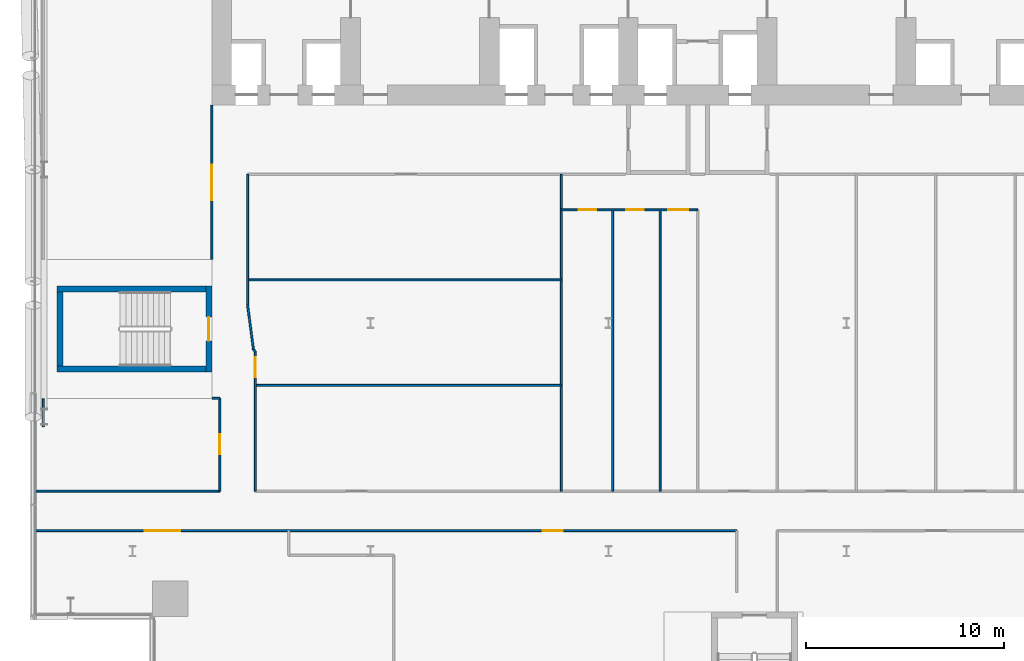
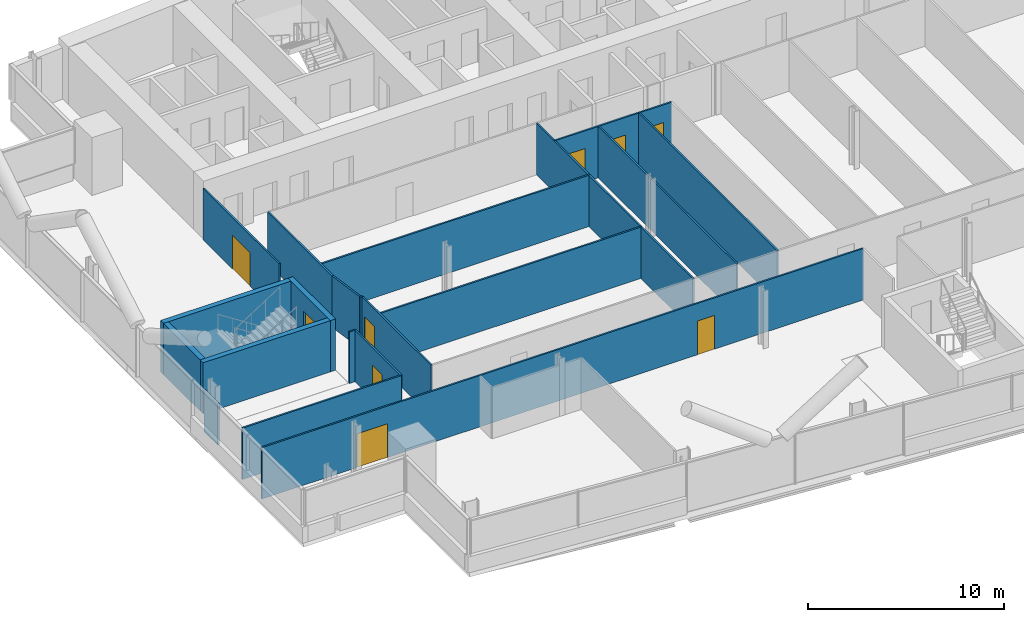
# One storey, part 14 of 27: 20 walls, 9 doors, 9 openings.
"""IFC4 building model written with IfcOpenShell, lengths in metres."""

import ifcopenshell
import ifcopenshell.guid

model = None  # the IFC model being written
_history = None  # IfcOwnerHistory: only IFC2X3 demands one
_inside = {}  # id of a spatial element -> (the spatial element, [elements in it])
_under = {}  # id of a project, library or spatial element -> (it, [spatial elements below it])
_declared = {}  # id of a project -> (the project, [libraries it declares])
_typed = {}  # id of a type object -> (the type object, [elements of that type])
_made_of = {}  # id of a material, layer set ... -> (it, [elements and type objects made of it])


def new_model(schema):
    """Start an empty IFC model of exactly this schema.

    Asked for "IFC4X3", IfcOpenShell would pick the latest addendum, in which some entities
    have other attributes; the version numbers below select the first issue.
    IFC2X3 requires an IfcOwnerHistory on every rooted entity: one is made here for all.
    """
    global model, _history
    if schema == "IFC4X3":
        model = ifcopenshell.file(schema_version=(4, 3, 0, 0))
    else:
        model = ifcopenshell.file(schema=schema)
    _inside.clear()
    _under.clear()
    _declared.clear()
    _typed.clear()
    _made_of.clear()
    _history = None
    if model.schema == "IFC2X3":
        org = make("IfcOrganization", Name="unknown")
        user = make(
            "IfcPersonAndOrganization",
            ThePerson=make("IfcPerson", FamilyName="unknown"),
            TheOrganization=org,
        )
        app = make(
            "IfcApplication",
            ApplicationDeveloper=org,
            Version="unknown",
            ApplicationFullName="unknown",
            ApplicationIdentifier="unknown",
        )
        _history = make(
            "IfcOwnerHistory",
            OwningUser=user,
            OwningApplication=app,
            ChangeAction="ADDED",
            CreationDate=0,
        )
    return model


def make(cls, **values):
    """One entity of the class cls with the attributes given. An attribute that is None is left unset."""
    return model.create_entity(
        cls, **{name: value for name, value in values.items() if value is not None}
    )


def rooted(cls, **values):
    """An entity with a GlobalId (a new one), such as an element, a storey or a relation."""
    return make(cls, GlobalId=ifcopenshell.guid.new(), OwnerHistory=_history, **values)


def si_unit(unit_type, name, prefix=None):
    """IfcSIUnit, for example si_unit("LENGTHUNIT", "METRE", prefix="MILLI")."""
    return make("IfcSIUnit", UnitType=unit_type, Prefix=prefix, Name=name)


def assignment(units):
    """IfcUnitAssignment: the units of a project."""
    return None if units is None else make("IfcUnitAssignment", Units=units)


def point(xyz):
    """IfcCartesianPoint."""
    return None if xyz is None else make("IfcCartesianPoint", Coordinates=xyz)


def direction(xyz):
    """IfcDirection."""
    return None if xyz is None else make("IfcDirection", DirectionRatios=xyz)


def frame(location, z_axis=None, x_axis=None):
    """IfcAxis2Placement3D, a coordinate frame: its origin and axes. An axis left out is left unset."""
    return make(
        "IfcAxis2Placement3D",
        Location=point(location),
        Axis=direction(z_axis),
        RefDirection=direction(x_axis),
    )


def frame_2d(location, x_axis=None):
    """IfcAxis2Placement2D, a coordinate frame in the plane: its origin and x axis."""
    return make(
        "IfcAxis2Placement2D", Location=point(location), RefDirection=direction(x_axis)
    )


def origin():
    """The frame at (0, 0, 0) with its axes left unset."""
    return frame((0.0, 0.0, 0.0))


def place(relative_to, where):
    """IfcLocalPlacement: puts the frame where relative to a parent placement (None: the world)."""
    return make(
        "IfcLocalPlacement", PlacementRelTo=relative_to, RelativePlacement=where
    )


def context(
    kind, dimensions, precision=None, world=None, true_north=None, identifier=None
):
    """IfcGeometricRepresentationContext, for example the 3D "Model" context."""
    return make(
        "IfcGeometricRepresentationContext",
        ContextIdentifier=identifier,
        ContextType=kind,
        CoordinateSpaceDimension=dimensions,
        Precision=precision,
        WorldCoordinateSystem=world,
        TrueNorth=true_north,
    )


def subcontext(parent, identifier, kind, view, scale=None):
    """IfcGeometricRepresentationSubContext, for example "Body" below "Model"."""
    return make(
        "IfcGeometricRepresentationSubContext",
        ContextIdentifier=identifier,
        ContextType=kind,
        ParentContext=parent,
        TargetScale=scale,
        TargetView=view,
    )


def project(units=None, contexts=None):
    """IfcProject with its units and contexts."""
    return rooted(
        "IfcProject",
        Name="project",
        RepresentationContexts=contexts,
        UnitsInContext=assignment(units),
    )


def spatial(cls, under=None, at=None, **own):
    """A site, building, storey or space (cls), placed at a placement, below another one or the project."""
    s = rooted(cls, ObjectPlacement=at, **own)
    if under is not None:
        _under.setdefault(under.id(), (under, []))[1].append(s)
    return s


def profile(cls, at=None, kind="AREA", **sizes):
    """A parametric profile (cls). Its sizes go by their IFC names, for example OverallWidth=200.0."""
    return make(cls, ProfileType=kind, Position=at, **sizes)


def rectangle(**sizes):
    """IfcRectangleProfileDef."""
    return profile("IfcRectangleProfileDef", **sizes)


def extrude(swept, where, along, depth):
    """IfcExtrudedAreaSolid: the profile swept, set in the frame where, extruded along a direction by depth."""
    return make(
        "IfcExtrudedAreaSolid",
        SweptArea=swept,
        Position=where,
        ExtrudedDirection=direction(along),
        Depth=depth,
    )


def shape(context_of_items, identifier, shape_type, items):
    """IfcShapeRepresentation: the items that make up one representation, for example the "Body"."""
    return make(
        "IfcShapeRepresentation",
        ContextOfItems=context_of_items,
        RepresentationIdentifier=identifier,
        RepresentationType=shape_type,
        Items=items,
    )


def material(Name=None, Category=None):
    """IfcMaterial."""
    return make("IfcMaterial", Name=Name, Category=Category)


def layer(
    of_material, thickness, ventilated=None, Name=None, Category=None, Priority=None
):
    """IfcMaterialLayer: one layer of a wall or slab, of a material (None: an air gap)."""
    return make(
        "IfcMaterialLayer",
        Material=of_material,
        LayerThickness=thickness,
        IsVentilated=ventilated,
        Name=Name,
        Category=Category,
        Priority=Priority,
    )


def layer_set(layers, Name=None):
    """IfcMaterialLayerSet."""
    return make("IfcMaterialLayerSet", MaterialLayers=layers, LayerSetName=Name)


def made_of(thing, what):
    """Note that an element or type object is made of a material, layer set ...; save() writes the relation."""
    if what is not None:
        _made_of.setdefault(what.id(), (what, []))[1].append(thing)
    return thing


def type_object(cls, material=None, **own):
    """A type object (cls), such as IfcWallType, which elements share."""
    return made_of(rooted(cls, **own), material)


def element(
    cls,
    number,
    at=None,
    inside=None,
    cuts=None,
    type_object=None,
    material=None,
    context=None,
    identifier="Body",
    shape_type=None,
    held_by="IfcProductDefinitionShape",
    body=None,
    shapes=None,
    **own,
):
    """One element of the class cls, such as IfcWall. Its Tag is "e" and its number.

    at: its placement. inside: the storey or other place that contains it. cuts: it is an
    opening in that element (IfcRelVoidsElement). A single representation is given by context,
    identifier, shape_type and body (its items); several are given by shapes. held_by: the class
    of the entity that holds the representations. save() writes the other relations.
    """
    e = rooted(cls, Tag="e%d" % number, ObjectPlacement=at, **own)
    if body is not None:
        shapes = [shape(context, identifier, shape_type, body)]
    if shapes is not None:
        e.Representation = make(held_by, Representations=shapes)
    if inside is not None:
        _inside.setdefault(inside.id(), (inside, []))[1].append(e)
    if cuts is not None:
        rooted(
            "IfcRelVoidsElement", RelatingBuildingElement=cuts, RelatedOpeningElement=e
        )
    if type_object is not None:
        _typed.setdefault(type_object.id(), (type_object, []))[1].append(e)
    return made_of(e, material)


def fill(opening, filler):
    """IfcRelFillsElement: the door or window that sits in an opening."""
    return rooted(
        "IfcRelFillsElement",
        RelatingOpeningElement=opening,
        RelatedBuildingElement=filler,
    )


def aggregate(whole, parts):
    """IfcRelAggregates: a whole, such as a stair, and the parts it consists of."""
    return rooted("IfcRelAggregates", RelatingObject=whole, RelatedObjects=parts)


def save(model, path):
    """Write the relations noted so far, then the file.

    IfcRelAggregates (storeys below a building ...), IfcRelContainedInSpatialStructure (elements
    in a storey), IfcRelDefinesByType, IfcRelAssociatesMaterial and IfcRelDeclares: one each for
    every whole, place, type object, material and project.
    """
    for whole, parts in _under.values():
        aggregate(whole, parts)
    for where, things in _inside.values():
        rooted(
            "IfcRelContainedInSpatialStructure",
            RelatedElements=things,
            RelatingStructure=where,
        )
    for kind, things in _typed.values():
        rooted("IfcRelDefinesByType", RelatedObjects=things, RelatingType=kind)
    for what, things in _made_of.values():
        rooted("IfcRelAssociatesMaterial", RelatedObjects=things, RelatingMaterial=what)
    for by, libraries in _declared.values():
        rooted("IfcRelDeclares", RelatingContext=by, RelatedDefinitions=libraries)
    model.write(path)


model = new_model("IFC4")

# Units and contexts
model_context = context("Model", 3, precision=1e-05, world=origin(), true_north=direction((0.0, 1.0)))
body_context = subcontext(model_context, "Body", "Model", "MODEL_VIEW")
ifc_project = project(units=[si_unit("LENGTHUNIT", "METRE"), si_unit("AREAUNIT", "SQUARE_METRE"), si_unit("VOLUMEUNIT", "CUBIC_METRE"), si_unit("PLANEANGLEUNIT", "RADIAN"), si_unit("MASSUNIT", "GRAM", prefix="KILO")], contexts=[model_context])

# Site, building, storey
site_placement = place(None, origin())
site = spatial("IfcSite", under=ifc_project, at=site_placement, CompositionType="ELEMENT")
building_placement = place(site_placement, origin())
building = spatial("IfcBuilding", under=site, at=building_placement, Name="Wharfspan Tower", CompositionType="ELEMENT")
storey_placement = place(building_placement, frame((0.0, 0.0, 139.899902)))
storey = spatial("IfcBuildingStorey", under=building, at=storey_placement, Name="L33", CompositionType="ELEMENT", Elevation=139.899902)

# Wall, openings, doors
ifc_material_1 = material(Name="Gypsum board on steel studs", Category="steel")
ifc_layer_1 = layer(ifc_material_1, 0.100098)
ifc_layer_set_1 = layer_set([ifc_layer_1], Name="Gypsum board on steel studs")
wall_type_1 = type_object("IfcWallType", Name="Compartment wall 100 EI 60", PredefinedType="PARTITIONING", material=ifc_layer_set_1)
wall_1_placement = place(storey_placement, frame((7.02002, 12.530029, 0.0), z_axis=(0.0, 0.0, 1.0), x_axis=(1.0, 0.0, 0.0)))
wall_1 = element("IfcWall", 1, at=wall_1_placement, inside=storey, type_object=wall_type_1, Name="Partition L33.w001", PredefinedType="PARTITIONING", context=body_context, shape_type="SweptSolid", body=[
    extrude(rectangle(XDim=35.439941, YDim=0.100098, at=frame_2d((17.719971, 0.0))), origin(), (0.0, 0.0, 1.0), 3.200195),
])
opening_1_placement = place(wall_1_placement, frame((5.600098, 0.0, 0.0)))
opening_1 = element("IfcOpeningElement", 2, at=opening_1_placement, cuts=wall_1, Name="Opening B6-02", PredefinedType="OPENING", context=body_context, shape_type="SweptSolid", body=[
    extrude(rectangle(XDim=1.800049, YDim=2.100098, at=frame_2d((0.899902, 1.050049))), frame((0.0, 0.060059, 0.0), z_axis=(0.0, -1.0, 0.0), x_axis=(1.0, 0.0, 0.0)), (0.0, 0.0, 1.0), 0.120117),
])
opening_2_placement = place(wall_1_placement, frame((25.675049, 0.0, 0.0)))
opening_2 = element("IfcOpeningElement", 3, at=opening_2_placement, cuts=wall_1, Name="Opening B6-03", PredefinedType="OPENING", context=body_context, shape_type="SweptSolid", body=[
    extrude(rectangle(XDim=1.0, YDim=2.100098, at=frame_2d((0.5, 1.050049))), frame((0.0, 0.060059, 0.0), z_axis=(0.0, -1.0, 0.0), x_axis=(1.0, 0.0, 0.0)), (0.0, 0.0, 1.0), 0.120117),
])
ifc_material_2 = material(Name="Fire-rated timber door leaf in steel frame", Category="steel")
door_type_1 = type_object("IfcDoorType", Name="Door 1000 FD30S Right", OperationType="SINGLE_SWING_RIGHT", PredefinedType="DOOR", material=ifc_material_2)
door_1_placement = place(opening_2_placement, origin())
door_1 = element("IfcDoor", 4, at=door_1_placement, inside=storey, type_object=door_type_1, Name="Door B6-03", OperationType="SINGLE_SWING_RIGHT", OverallHeight=2.100098, OverallWidth=1.0, PredefinedType="DOOR", context=body_context, shape_type="SweptSolid", body=[
    extrude(rectangle(XDim=1.0, YDim=2.100098, at=frame_2d((0.5, 1.050049))), frame((0.0, 0.024902, 0.0), z_axis=(0.0, -1.0, 0.0), x_axis=(1.0, 0.0, 0.0)), (0.0, 0.0, 1.0), 0.050049),
])
fill(opening_2, door_1)
door_type_2 = type_object("IfcDoorType", Name="Door 1800 FD30S Double", OperationType="DOUBLE_DOOR_SINGLE_SWING", PredefinedType="DOOR", material=ifc_material_2)
door_2_placement = place(opening_1_placement, origin())
door_2 = element("IfcDoor", 5, at=door_2_placement, inside=storey, type_object=door_type_2, Name="Door B6-02", OperationType="DOUBLE_DOOR_SINGLE_SWING", OverallHeight=2.100098, OverallWidth=1.800049, PredefinedType="DOOR", context=body_context, shape_type="SweptSolid", body=[
    extrude(rectangle(XDim=1.800049, YDim=2.100098, at=frame_2d((0.899902, 1.050049))), frame((0.0, 0.024902, 0.0), z_axis=(0.0, -1.0, 0.0), x_axis=(1.0, 0.0, 0.0)), (0.0, 0.0, 1.0), 0.050049),
])
fill(opening_1, door_2)

# Wall
wall_2_placement = place(storey_placement, frame((7.02002, 14.530029, 0.0), z_axis=(0.0, 0.0, 1.0), x_axis=(1.0, 0.0, 0.0)))
element("IfcWall", 6, at=wall_2_placement, inside=storey, type_object=wall_type_1, Name="Partition L33.w002", PredefinedType="PARTITIONING", context=body_context, shape_type="SweptSolid", body=[
    extrude(rectangle(XDim=9.379883, YDim=0.100098, at=frame_2d((4.689941, 0.0))), origin(), (0.0, 0.0, 1.0), 3.200195),
])

# Wall, opening, door
wall_3_placement = place(storey_placement, frame((16.0, 26.219971, 0.0), z_axis=(0.0, 0.0, 1.0), x_axis=(0.0, 1.0, 0.0)))
wall_3 = element("IfcWall", 7, at=wall_3_placement, inside=storey, type_object=wall_type_1, Name="Partition L33.w005", PredefinedType="PARTITIONING", context=body_context, shape_type="SweptSolid", body=[
    extrude(rectangle(XDim=7.76001, YDim=0.100098, at=frame_2d((3.879883, 0.0))), origin(), (0.0, 0.0, 1.0), 3.200195),
])
opening_3_placement = place(wall_3_placement, frame((2.959961, 0.0, 0.0)))
opening_3 = element("IfcOpeningElement", 8, at=opening_3_placement, cuts=wall_3, Name="Opening B6-19", PredefinedType="OPENING", context=body_context, shape_type="SweptSolid", body=[
    extrude(rectangle(XDim=1.800049, YDim=2.100098, at=frame_2d((0.899902, 1.050049))), frame((0.0, 0.060059, 0.0), z_axis=(0.0, -1.0, 0.0), x_axis=(1.0, 0.0, 0.0)), (0.0, 0.0, 1.0), 0.120117),
])
door_3_placement = place(opening_3_placement, origin())
door_3 = element("IfcDoor", 9, at=door_3_placement, inside=storey, type_object=door_type_2, Name="Door B6-19", OperationType="DOUBLE_DOOR_SINGLE_SWING", OverallHeight=2.100098, OverallWidth=1.800049, PredefinedType="DOOR", context=body_context, shape_type="SweptSolid", body=[
    extrude(rectangle(XDim=1.800049, YDim=2.100098, at=frame_2d((0.899902, 1.050049))), frame((0.0, 0.024902, 0.0), z_axis=(0.0, -1.0, 0.0), x_axis=(1.0, 0.0, 0.0)), (0.0, 0.0, 1.0), 0.050049),
])
fill(opening_3, door_3)

# Wall
wall_4_placement = place(storey_placement, frame((16.02002, 19.199951, 0.0), z_axis=(0.0, 0.0, 1.0), x_axis=(1.0, 0.0, 0.0)))
element("IfcWall", 10, at=wall_4_placement, inside=storey, type_object=wall_type_1, Name="Partition L33.w006", PredefinedType="PARTITIONING", context=body_context, shape_type="SweptSolid", body=[
    extrude(rectangle(XDim=0.379883, YDim=0.100098, at=frame_2d((0.189941, 0.0))), origin(), (0.0, 0.0, 1.0), 3.200195),
])

# Wall, opening, door
wall_5_placement = place(storey_placement, frame((16.399902, 14.530029, 0.0), z_axis=(0.0, 0.0, 1.0), x_axis=(0.0, 1.0, 0.0)))
wall_5 = element("IfcWall", 11, at=wall_5_placement, inside=storey, type_object=wall_type_1, Name="Partition L33.w007", PredefinedType="PARTITIONING", context=body_context, shape_type="SweptSolid", body=[
    extrude(rectangle(XDim=4.669922, YDim=0.100098, at=frame_2d((2.334961, 0.0))), origin(), (0.0, 0.0, 1.0), 3.200195),
])
opening_4_placement = place(wall_5_placement, frame((1.850098, 0.0, 0.0)))
opening_4 = element("IfcOpeningElement", 12, at=opening_4_placement, cuts=wall_5, Name="Opening B6-14", PredefinedType="OPENING", context=body_context, shape_type="SweptSolid", body=[
    extrude(rectangle(XDim=1.0, YDim=2.100098, at=frame_2d((0.5, 1.050049))), frame((0.0, 0.060059, 0.0), z_axis=(0.0, -1.0, 0.0), x_axis=(1.0, 0.0, 0.0)), (0.0, 0.0, 1.0), 0.120117),
])
door_4_placement = place(opening_4_placement, origin())
door_4 = element("IfcDoor", 13, at=door_4_placement, inside=storey, type_object=door_type_1, Name="Door B6-14", OperationType="SINGLE_SWING_RIGHT", OverallHeight=2.100098, OverallWidth=1.0, PredefinedType="DOOR", context=body_context, shape_type="SweptSolid", body=[
    extrude(rectangle(XDim=1.0, YDim=2.100098, at=frame_2d((0.5, 1.050049))), frame((0.0, 0.024902, 0.0), z_axis=(0.0, -1.0, 0.0), x_axis=(1.0, 0.0, 0.0)), (0.0, 0.0, 1.0), 0.050049),
])
fill(opening_4, door_4)

# Walls
wall_6_placement = place(storey_placement, frame((17.800049, 23.935059, 0.0), z_axis=(0.0, 0.0, 1.0), x_axis=(0.0, 1.0, 0.0)))
element("IfcWall", 14, at=wall_6_placement, inside=storey, type_object=wall_type_1, Name="Partition L33.w008", PredefinedType="PARTITIONING", context=body_context, shape_type="SweptSolid", body=[
    extrude(rectangle(XDim=6.564941, YDim=0.100098, at=frame_2d((3.282471, 0.0))), origin(), (0.0, 0.0, 1.0), 3.200195),
])
wall_7_placement = place(storey_placement, frame((17.800049, 25.175049, 0.0), z_axis=(0.0, 0.0, 1.0), x_axis=(1.0, 0.0, 0.0)))
element("IfcWall", 15, at=wall_7_placement, inside=storey, type_object=wall_type_1, Name="Partition L33.w009", PredefinedType="PARTITIONING", context=body_context, shape_type="SweptSolid", body=[
    extrude(rectangle(XDim=15.824951, YDim=0.100098, at=frame_2d((7.912598, 0.0))), origin(), (0.0, 0.0, 1.0), 3.200195),
])
wall_8_placement = place(storey_placement, frame((18.100098, 21.659912, 0.0), z_axis=(0.0, 0.0, 1.0), x_axis=(-0.130749, 0.991416, 0.0)))
element("IfcWall", 16, at=wall_8_placement, inside=storey, type_object=wall_type_1, Name="Partition L33.w011", PredefinedType="PARTITIONING", context=body_context, shape_type="SweptSolid", body=[
    extrude(rectangle(XDim=2.294922, YDim=0.100098, at=frame_2d((1.147461, 0.0))), origin(), (0.0, 0.0, 1.0), 3.200195),
])

# Wall, opening, door
wall_9_placement = place(storey_placement, frame((18.199951, 14.530029, 0.0), z_axis=(0.0, 0.0, 1.0), x_axis=(0.0, 1.0, 0.0)))
wall_9 = element("IfcWall", 17, at=wall_9_placement, inside=storey, type_object=wall_type_1, Name="Partition L33.w012", PredefinedType="PARTITIONING", context=body_context, shape_type="SweptSolid", body=[
    extrude(rectangle(XDim=7.02002, YDim=0.100098, at=frame_2d((3.51001, 0.0))), origin(), (0.0, 0.0, 1.0), 3.200195),
])
opening_5_placement = place(wall_9_placement, frame((5.745117, 0.0, 0.0)))
opening_5 = element("IfcOpeningElement", 18, at=opening_5_placement, cuts=wall_9, Name="Opening B6-15", PredefinedType="OPENING", context=body_context, shape_type="SweptSolid", body=[
    extrude(rectangle(XDim=1.0, YDim=2.100098, at=frame_2d((0.5, 1.050049))), frame((0.0, 0.060059, 0.0), z_axis=(0.0, -1.0, 0.0), x_axis=(1.0, 0.0, 0.0)), (0.0, 0.0, 1.0), 0.120117),
])
door_5_placement = place(opening_5_placement, origin())
door_5 = element("IfcDoor", 19, at=door_5_placement, inside=storey, type_object=door_type_1, Name="Door B6-15", OperationType="SINGLE_SWING_RIGHT", OverallHeight=2.100098, OverallWidth=1.0, PredefinedType="DOOR", context=body_context, shape_type="SweptSolid", body=[
    extrude(rectangle(XDim=1.0, YDim=2.100098, at=frame_2d((0.5, 1.050049))), frame((0.0, 0.024902, 0.0), z_axis=(0.0, -1.0, 0.0), x_axis=(1.0, 0.0, 0.0)), (0.0, 0.0, 1.0), 0.050049),
])
fill(opening_5, door_5)

# Walls
wall_10_placement = place(storey_placement, frame((18.199951, 19.85498, 0.0), z_axis=(0.0, 0.0, 1.0), x_axis=(1.0, 0.0, 0.0)))
element("IfcWall", 20, at=wall_10_placement, inside=storey, type_object=wall_type_1, Name="Partition L33.w014", PredefinedType="PARTITIONING", context=body_context, shape_type="SweptSolid", body=[
    extrude(rectangle(XDim=15.425049, YDim=0.100098, at=frame_2d((7.712402, 0.0))), origin(), (0.0, 0.0, 1.0), 3.200195),
])
wall_11_placement = place(storey_placement, frame((18.199951, 21.550049, 0.0), z_axis=(0.0, 0.0, 1.0), x_axis=(-0.672587, 0.74001, 0.0)))
element("IfcWall", 21, at=wall_11_placement, inside=storey, type_object=wall_type_1, Name="Partition L33.w015", PredefinedType="PARTITIONING", context=body_context, shape_type="SweptSolid", body=[
    extrude(rectangle(XDim=0.148438, YDim=0.100098, at=frame_2d((0.074219, 0.0))), origin(), (0.0, 0.0, 1.0), 3.200195),
])
wall_12_placement = place(storey_placement, frame((33.625, 14.530029, 0.0), z_axis=(0.0, 0.0, 1.0), x_axis=(0.0, 1.0, 0.0)))
element("IfcWall", 22, at=wall_12_placement, inside=storey, type_object=wall_type_1, Name="Partition L33.w020", PredefinedType="PARTITIONING", context=body_context, shape_type="SweptSolid", body=[
    extrude(rectangle(XDim=15.959961, YDim=0.100098, at=frame_2d((7.97998, 0.0))), origin(), (0.0, 0.0, 1.0), 3.200195),
])
for number, where, z_axis, x_axis, name in (
    (23, (36.215088, 14.530029, 0.0), (0.0, 0.0, 1.0), (0.0, 1.0, 0.0), "Partition L33.w023"),
    (24, (38.600098, 14.530029, 0.0), (0.0, 0.0, 1.0), (0.0, 1.0, 0.0), "Partition L33.w024"),
):
    element("IfcWall", number, at=place(storey_placement, frame(where, z_axis=z_axis, x_axis=x_axis)), inside=storey, type_object=wall_type_1, Name=name, PredefinedType="PARTITIONING", context=body_context, shape_type="SweptSolid", body=[
        extrude(rectangle(XDim=14.169922, YDim=0.100098, at=frame_2d((7.084961, 0.0))), origin(), (0.0, 0.0, 1.0), 3.200195),
    ])
ifc_layer_2 = layer(ifc_material_1, 0.100098)
ifc_layer_set_2 = layer_set([ifc_layer_2], Name="Gypsum board on steel studs")
wall_type_2 = type_object("IfcWallType", Name="Partition 100", PredefinedType="PARTITIONING", material=ifc_layer_set_2)
wall_13_placement = place(storey_placement, frame((7.51001, 17.764893, 0.0), z_axis=(0.0, 0.0, 1.0), x_axis=(0.0, 1.0, 0.0)))
element("IfcWall", 25, at=wall_13_placement, inside=storey, type_object=wall_type_2, Name="Partition L33.w003", PredefinedType="PARTITIONING", context=body_context, shape_type="SweptSolid", body=[
    extrude(rectangle(XDim=1.415039, YDim=0.100098, at=frame_2d((0.70752, 0.0))), origin(), (0.0, 0.0, 1.0), 2.580078),
])

# Wall, openings, doors
wall_14_placement = place(storey_placement, frame((33.625, 28.699951, 0.0), z_axis=(0.0, 0.0, 1.0), x_axis=(1.0, 0.0, 0.0)))
wall_14 = element("IfcWall", 26, at=wall_14_placement, inside=storey, type_object=wall_type_2, Name="Partition L33.w021", PredefinedType="PARTITIONING", context=body_context, shape_type="SweptSolid", body=[
    extrude(rectangle(XDim=6.875, YDim=0.100098, at=frame_2d((3.4375, 0.0))), origin(), (0.0, 0.0, 1.0), 3.200195),
])
opening_6_placement = place(wall_14_placement, frame((0.870117, 0.0, 0.0)))
opening_6 = element("IfcOpeningElement", 27, at=opening_6_placement, cuts=wall_14, Name="Opening B6-16", PredefinedType="OPENING", context=body_context, shape_type="SweptSolid", body=[
    extrude(rectangle(XDim=0.899902, YDim=2.100098, at=frame_2d((0.449951, 1.050049))), frame((0.0, 0.060059, 0.0), z_axis=(0.0, -1.0, 0.0), x_axis=(1.0, 0.0, 0.0)), (0.0, 0.0, 1.0), 0.120117),
])
opening_7_placement = place(wall_14_placement, frame((3.26001, 0.0, 0.0)))
opening_7 = element("IfcOpeningElement", 28, at=opening_7_placement, cuts=wall_14, Name="Opening B6-17", PredefinedType="OPENING", context=body_context, shape_type="SweptSolid", body=[
    extrude(rectangle(XDim=0.899902, YDim=2.100098, at=frame_2d((0.449951, 1.050049))), frame((0.0, 0.060059, 0.0), z_axis=(0.0, -1.0, 0.0), x_axis=(1.0, 0.0, 0.0)), (0.0, 0.0, 1.0), 0.120117),
])
opening_8_placement = place(wall_14_placement, frame((5.39502, 0.0, 0.0)))
opening_8 = element("IfcOpeningElement", 29, at=opening_8_placement, cuts=wall_14, Name="Opening B6-18", PredefinedType="OPENING", context=body_context, shape_type="SweptSolid", body=[
    extrude(rectangle(XDim=1.0, YDim=2.100098, at=frame_2d((0.5, 1.050049))), frame((0.0, 0.060059, 0.0), z_axis=(0.0, -1.0, 0.0), x_axis=(1.0, 0.0, 0.0)), (0.0, 0.0, 1.0), 0.120117),
])
ifc_material_3 = material(Name="Timber door leaf in steel frame", Category="steel")
door_type_3 = type_object("IfcDoorType", Name="Door 1000 NOT RATED Right", OperationType="SINGLE_SWING_RIGHT", PredefinedType="DOOR", material=ifc_material_3)
door_6_placement = place(opening_8_placement, origin())
door_6 = element("IfcDoor", 30, at=door_6_placement, inside=storey, type_object=door_type_3, Name="Door B6-18", OperationType="SINGLE_SWING_RIGHT", OverallHeight=2.100098, OverallWidth=1.0, PredefinedType="DOOR", context=body_context, shape_type="SweptSolid", body=[
    extrude(rectangle(XDim=1.0, YDim=2.100098, at=frame_2d((0.5, 1.050049))), frame((0.0, 0.024902, 0.0), z_axis=(0.0, -1.0, 0.0), x_axis=(1.0, 0.0, 0.0)), (0.0, 0.0, 1.0), 0.050049),
])
fill(opening_8, door_6)
door_type_4 = type_object("IfcDoorType", Name="Door 900 NOT RATED Left", OperationType="SINGLE_SWING_LEFT", PredefinedType="DOOR", material=ifc_material_3)
door_7_placement = place(opening_6_placement, origin())
door_7 = element("IfcDoor", 31, at=door_7_placement, inside=storey, type_object=door_type_4, Name="Door B6-16", OperationType="SINGLE_SWING_LEFT", OverallHeight=2.100098, OverallWidth=0.899902, PredefinedType="DOOR", context=body_context, shape_type="SweptSolid", body=[
    extrude(rectangle(XDim=0.899902, YDim=2.100098, at=frame_2d((0.449951, 1.050049))), frame((0.0, 0.024902, 0.0), z_axis=(0.0, -1.0, 0.0), x_axis=(1.0, 0.0, 0.0)), (0.0, 0.0, 1.0), 0.050049),
])
fill(opening_6, door_7)
door_type_5 = type_object("IfcDoorType", Name="Door 900 NOT RATED Right", OperationType="SINGLE_SWING_RIGHT", PredefinedType="DOOR", material=ifc_material_3)
door_8_placement = place(opening_7_placement, origin())
door_8 = element("IfcDoor", 32, at=door_8_placement, inside=storey, type_object=door_type_5, Name="Door B6-17", OperationType="SINGLE_SWING_RIGHT", OverallHeight=2.100098, OverallWidth=0.899902, PredefinedType="DOOR", context=body_context, shape_type="SweptSolid", body=[
    extrude(rectangle(XDim=0.899902, YDim=2.100098, at=frame_2d((0.449951, 1.050049))), frame((0.0, 0.024902, 0.0), z_axis=(0.0, -1.0, 0.0), x_axis=(1.0, 0.0, 0.0)), (0.0, 0.0, 1.0), 0.050049),
])
fill(opening_7, door_8)

# Wall, opening, door
ifc_material_4 = material(Name="Concrete C40/50", Category="concrete")
ifc_layer_3 = layer(ifc_material_4, 0.300049)
ifc_layer_set_3 = layer_set([ifc_layer_3], Name="Concrete C40/50")
wall_type_3 = type_object("IfcWallType", Name="Stair core wall 300", PredefinedType="SHEAR", material=ifc_layer_set_3)
wall_15_placement = place(storey_placement, frame((15.850098, 20.524902, 0.0), z_axis=(0.0, 0.0, 1.0), x_axis=(0.0, 1.0, 0.0)))
wall_15 = element("IfcWall", 33, at=wall_15_placement, inside=storey, type_object=wall_type_3, Name="ST3 stair enclosure wall L33", PredefinedType="SHEAR", context=body_context, shape_type="SweptSolid", body=[
    extrude(rectangle(XDim=4.350098, YDim=0.300049, at=frame_2d((2.175049, 0.0))), origin(), (0.0, 0.0, 1.0), 3.200195),
])
opening_9_placement = place(wall_15_placement, frame((1.574951, 0.0, 0.0)))
opening_9 = element("IfcOpeningElement", 34, at=opening_9_placement, cuts=wall_15, Name="Opening SD3.L33", PredefinedType="OPENING", context=body_context, shape_type="SweptSolid", body=[
    extrude(rectangle(XDim=1.199951, YDim=2.100098, at=frame_2d((0.600098, 1.050049))), frame((0.0, 0.159912, 0.0), z_axis=(0.0, -1.0, 0.0), x_axis=(1.0, 0.0, 0.0)), (0.0, 0.0, 1.0), 0.320068),
])
ifc_material_5 = material(Name="Steel door leaf", Category="steel")
door_type_6 = type_object("IfcDoorType", Name="Stair door 1200x2100", OperationType="SINGLE_SWING_LEFT", PredefinedType="DOOR", material=ifc_material_5)
door_9_placement = place(opening_9_placement, origin())
door_9 = element("IfcDoor", 35, at=door_9_placement, inside=storey, type_object=door_type_6, Name="sd:L33:ST3z2", OperationType="SINGLE_SWING_RIGHT", OverallHeight=2.100098, OverallWidth=1.199951, PredefinedType="DOOR", context=body_context, shape_type="SweptSolid", body=[
    extrude(rectangle(XDim=1.199951, YDim=2.100098, at=frame_2d((0.600098, 1.050049))), frame((0.0, 0.024902, 0.0), z_axis=(0.0, -1.0, 0.0), x_axis=(1.0, 0.0, 0.0)), (0.0, 0.0, 1.0), 0.050049),
])
fill(opening_9, door_9)

# Walls
for number, where, z_axis, x_axis, name in (
    (36, (8.199951, 20.675049, 0.0), (0.0, 0.0, 1.0), (1.0, 0.0, 0.0), "ST3 stair enclosure wall L33"),
    (37, (8.199951, 24.725098, 0.0), (0.0, 0.0, 1.0), (1.0, 0.0, 0.0), "ST3 stair enclosure wall L33"),
):
    element("IfcWall", number, at=place(storey_placement, frame(where, z_axis=z_axis, x_axis=x_axis)), inside=storey, type_object=wall_type_3, Name=name, PredefinedType="SHEAR", context=body_context, shape_type="SweptSolid", body=[
        extrude(rectangle(XDim=7.5, YDim=0.300049, at=frame_2d((3.75, 0.0))), origin(), (0.0, 0.0, 1.0), 3.200195),
    ])
wall_16_placement = place(storey_placement, frame((8.350098, 20.824951, 0.0), z_axis=(0.0, 0.0, 1.0), x_axis=(0.0, 1.0, 0.0)))
element("IfcWall", 38, at=wall_16_placement, inside=storey, type_object=wall_type_3, Name="ST3 stair enclosure wall L33", PredefinedType="SHEAR", context=body_context, shape_type="SweptSolid", body=[
    extrude(rectangle(XDim=3.75, YDim=0.300049, at=frame_2d((1.875, 0.0))), origin(), (0.0, 0.0, 1.0), 3.200195),
])

save(model, "model.ifc")
